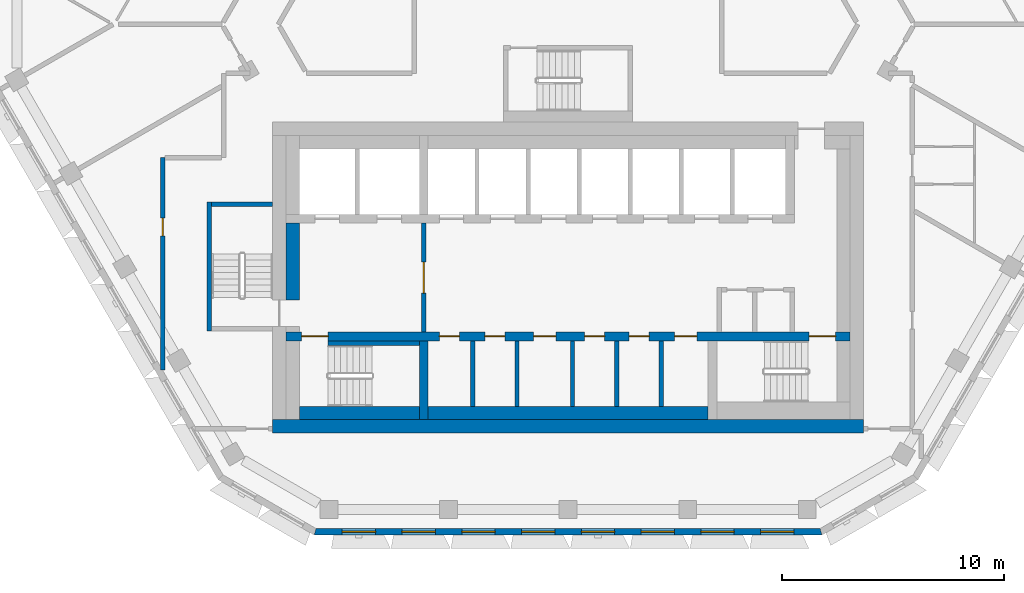
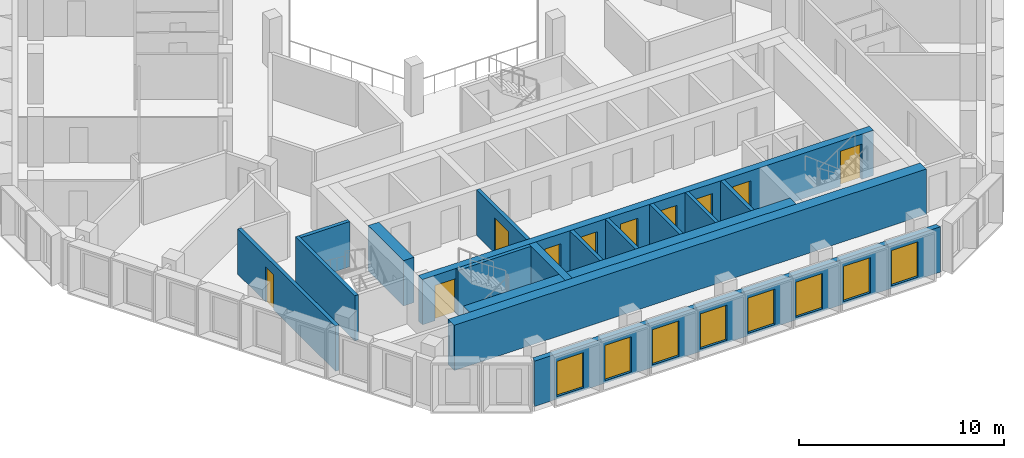
# One storey, part 3 of 17: 17 walls, 10 doors, 8 windows, 18 openings.
"""IFC4 building model written with IfcOpenShell, lengths in metres."""

from ifc_helpers import new_model, si_unit, direction, frame, frame_2d, origin, place, context, subcontext, project, spatial, polyline, rectangle, outline, extrude, material, layer, layer_set, type_object, element, fill, save


model = new_model("IFC4")

# Units and contexts
model_context = context("Model", 3, precision=1e-05, world=origin(), true_north=direction((0.0, 1.0)))
body_context = subcontext(model_context, "Body", "Model", "MODEL_VIEW")
ifc_project = project(units=[si_unit("LENGTHUNIT", "METRE"), si_unit("AREAUNIT", "SQUARE_METRE"), si_unit("VOLUMEUNIT", "CUBIC_METRE"), si_unit("PLANEANGLEUNIT", "RADIAN"), si_unit("MASSUNIT", "GRAM", prefix="KILO")], contexts=[model_context])

# Site, building, storey
site_placement = place(None, origin())
site = spatial("IfcSite", under=ifc_project, at=site_placement, CompositionType="ELEMENT")
building_placement = place(site_placement, origin())
building = spatial("IfcBuilding", under=site, at=building_placement, Name="Beryl Residences", CompositionType="ELEMENT")
storey_placement = place(building_placement, frame((0.0, 0.0, 172.199951171875)))
storey = spatial("IfcBuildingStorey", under=building, at=storey_placement, Name="L52", CompositionType="ELEMENT", Elevation=172.199951171875)

# Wall, openings, windows
ifc_material_1 = material(Name="Composite metal panel with mineral wool insulation")
ifc_layer_1 = layer(ifc_material_1, 0.300048828125)
ifc_layer_set_1 = layer_set([ifc_layer_1], Name="ES1 pale metal composite panel wall 300 mm")
wall_type_1 = type_object("IfcWallType", Name="ES1 pale metal composite panel wall 300 mm", PredefinedType="SOLIDWALL", material=ifc_layer_set_1)
wall_1_placement = place(storey_placement, frame((-11.430908203125, -23.449951171875, 0.0), z_axis=(0.0, 0.0, 1.0), x_axis=(1.0, 0.0, 0.0)))
wall_1 = element("IfcWall", 1, at=wall_1_placement, inside=storey, type_object=wall_type_1, Name="ES1 external wall L52 S", PredefinedType="SOLIDWALL", context=body_context, shape_type="SweptSolid", body=[
    extrude(outline(polyline([(0.0, -0.14990234375), (22.86181640625, -0.14990234375), (22.781494140625, 0.14990234375), (0.080322265625, 0.14990234375), (0.0, -0.14990234375)])), origin(), (0.0, 0.0, 1.0), 2.699951171875),
])
opening_1_placement = place(wall_1_placement, frame((1.260009765625, 0.0, 0.14990234375)))
opening_1 = element("IfcOpeningElement", 2, at=opening_1_placement, cuts=wall_1, Name="Opening W1", PredefinedType="OPENING", context=body_context, shape_type="SweptSolid", body=[
    extrude(rectangle(XDim=1.5, YDim=2.10009765625, at=frame_2d((0.75, 1.050048828125))), frame((0.0, 0.159912109375, 0.0), z_axis=(0.0, -1.0, 0.0), x_axis=(1.0, 0.0, 0.0)), (0.0, 0.0, 1.0), 0.320068359375),
])
opening_2_placement = place(wall_1_placement, frame((3.951904296875, 0.0, 0.14990234375)))
opening_2 = element("IfcOpeningElement", 3, at=opening_2_placement, cuts=wall_1, Name="Opening W1", PredefinedType="OPENING", context=body_context, shape_type="SweptSolid", body=[
    extrude(rectangle(XDim=1.5, YDim=2.10009765625, at=frame_2d((0.75, 1.050048828125))), frame((0.0, 0.159912109375, 0.0), z_axis=(0.0, -1.0, 0.0), x_axis=(1.0, 0.0, 0.0)), (0.0, 0.0, 1.0), 0.320068359375),
])
opening_3_placement = place(wall_1_placement, frame((6.64404296875, 0.0, 0.14990234375)))
opening_3 = element("IfcOpeningElement", 4, at=opening_3_placement, cuts=wall_1, Name="Opening W1", PredefinedType="OPENING", context=body_context, shape_type="SweptSolid", body=[
    extrude(rectangle(XDim=1.5, YDim=2.10009765625, at=frame_2d((0.75, 1.050048828125))), frame((0.0, 0.159912109375, 0.0), z_axis=(0.0, -1.0, 0.0), x_axis=(1.0, 0.0, 0.0)), (0.0, 0.0, 1.0), 0.320068359375),
])
opening_4_placement = place(wall_1_placement, frame((9.3359375, 0.0, 0.14990234375)))
opening_4 = element("IfcOpeningElement", 5, at=opening_4_placement, cuts=wall_1, Name="Opening W1", PredefinedType="OPENING", context=body_context, shape_type="SweptSolid", body=[
    extrude(rectangle(XDim=1.5, YDim=2.10009765625, at=frame_2d((0.75, 1.050048828125))), frame((0.0, 0.159912109375, 0.0), z_axis=(0.0, -1.0, 0.0), x_axis=(1.0, 0.0, 0.0)), (0.0, 0.0, 1.0), 0.320068359375),
])
opening_5_placement = place(wall_1_placement, frame((12.028076171875, 0.0, 0.14990234375)))
opening_5 = element("IfcOpeningElement", 6, at=opening_5_placement, cuts=wall_1, Name="Opening W1", PredefinedType="OPENING", context=body_context, shape_type="SweptSolid", body=[
    extrude(rectangle(XDim=1.5, YDim=2.10009765625, at=frame_2d((0.75, 1.050048828125))), frame((0.0, 0.159912109375, 0.0), z_axis=(0.0, -1.0, 0.0), x_axis=(1.0, 0.0, 0.0)), (0.0, 0.0, 1.0), 0.320068359375),
])
opening_6_placement = place(wall_1_placement, frame((14.719970703125, 0.0, 0.14990234375)))
opening_6 = element("IfcOpeningElement", 7, at=opening_6_placement, cuts=wall_1, Name="Opening W1", PredefinedType="OPENING", context=body_context, shape_type="SweptSolid", body=[
    extrude(rectangle(XDim=1.5, YDim=2.10009765625, at=frame_2d((0.75, 1.050048828125))), frame((0.0, 0.159912109375, 0.0), z_axis=(0.0, -1.0, 0.0), x_axis=(1.0, 0.0, 0.0)), (0.0, 0.0, 1.0), 0.320068359375),
])
opening_7_placement = place(wall_1_placement, frame((17.412109375, 0.0, 0.14990234375)))
opening_7 = element("IfcOpeningElement", 8, at=opening_7_placement, cuts=wall_1, Name="Opening W1", PredefinedType="OPENING", context=body_context, shape_type="SweptSolid", body=[
    extrude(rectangle(XDim=1.5, YDim=2.10009765625, at=frame_2d((0.75, 1.050048828125))), frame((0.0, 0.159912109375, 0.0), z_axis=(0.0, -1.0, 0.0), x_axis=(1.0, 0.0, 0.0)), (0.0, 0.0, 1.0), 0.320068359375),
])
opening_8_placement = place(wall_1_placement, frame((20.10400390625, 0.0, 0.14990234375)))
opening_8 = element("IfcOpeningElement", 9, at=opening_8_placement, cuts=wall_1, Name="Opening W1", PredefinedType="OPENING", context=body_context, shape_type="SweptSolid", body=[
    extrude(rectangle(XDim=1.5, YDim=2.10009765625, at=frame_2d((0.75, 1.050048828125))), frame((0.0, 0.159912109375, 0.0), z_axis=(0.0, -1.0, 0.0), x_axis=(1.0, 0.0, 0.0)), (0.0, 0.0, 1.0), 0.320068359375),
])
ifc_material_2 = material(Name="Aluminium and clear glass", Category="aluminium")
window_type = type_object("IfcWindowType", Name="W1 cell window 1500 x 2100 mm", PartitioningType="SINGLE_PANEL", PredefinedType="WINDOW", material=ifc_material_2)
window_1_placement = place(opening_1_placement, origin())
window_1 = element("IfcWindow", 10, at=window_1_placement, inside=storey, type_object=window_type, Name="W1 window L52 S 1", OverallHeight=2.10009765625, OverallWidth=1.5, PartitioningType="SINGLE_PANEL", PredefinedType="WINDOW", context=body_context, shape_type="SweptSolid", body=[
    extrude(rectangle(XDim=1.5, YDim=2.10009765625, at=frame_2d((0.75, 1.050048828125))), frame((0.0, 0.030029296875, 0.0), z_axis=(0.0, -1.0, 0.0), x_axis=(1.0, 0.0, 0.0)), (0.0, 0.0, 1.0), 0.06005859375),
])
fill(opening_1, window_1)
window_2_placement = place(opening_2_placement, origin())
window_2 = element("IfcWindow", 11, at=window_2_placement, inside=storey, type_object=window_type, Name="W1 window L52 S 2", OverallHeight=2.10009765625, OverallWidth=1.5, PartitioningType="SINGLE_PANEL", PredefinedType="WINDOW", context=body_context, shape_type="SweptSolid", body=[
    extrude(rectangle(XDim=1.5, YDim=2.10009765625, at=frame_2d((0.75, 1.050048828125))), frame((0.0, 0.030029296875, 0.0), z_axis=(0.0, -1.0, 0.0), x_axis=(1.0, 0.0, 0.0)), (0.0, 0.0, 1.0), 0.06005859375),
])
fill(opening_2, window_2)
window_3_placement = place(opening_3_placement, origin())
window_3 = element("IfcWindow", 12, at=window_3_placement, inside=storey, type_object=window_type, Name="W1 window L52 S 3", OverallHeight=2.10009765625, OverallWidth=1.5, PartitioningType="SINGLE_PANEL", PredefinedType="WINDOW", context=body_context, shape_type="SweptSolid", body=[
    extrude(rectangle(XDim=1.5, YDim=2.10009765625, at=frame_2d((0.75, 1.050048828125))), frame((0.0, 0.030029296875, 0.0), z_axis=(0.0, -1.0, 0.0), x_axis=(1.0, 0.0, 0.0)), (0.0, 0.0, 1.0), 0.06005859375),
])
fill(opening_3, window_3)
window_4_placement = place(opening_4_placement, origin())
window_4 = element("IfcWindow", 13, at=window_4_placement, inside=storey, type_object=window_type, Name="W1 window L52 S 4", OverallHeight=2.10009765625, OverallWidth=1.5, PartitioningType="SINGLE_PANEL", PredefinedType="WINDOW", context=body_context, shape_type="SweptSolid", body=[
    extrude(rectangle(XDim=1.5, YDim=2.10009765625, at=frame_2d((0.75, 1.050048828125))), frame((0.0, 0.030029296875, 0.0), z_axis=(0.0, -1.0, 0.0), x_axis=(1.0, 0.0, 0.0)), (0.0, 0.0, 1.0), 0.06005859375),
])
fill(opening_4, window_4)
window_5_placement = place(opening_5_placement, origin())
window_5 = element("IfcWindow", 14, at=window_5_placement, inside=storey, type_object=window_type, Name="W1 window L52 S 5", OverallHeight=2.10009765625, OverallWidth=1.5, PartitioningType="SINGLE_PANEL", PredefinedType="WINDOW", context=body_context, shape_type="SweptSolid", body=[
    extrude(rectangle(XDim=1.5, YDim=2.10009765625, at=frame_2d((0.75, 1.050048828125))), frame((0.0, 0.030029296875, 0.0), z_axis=(0.0, -1.0, 0.0), x_axis=(1.0, 0.0, 0.0)), (0.0, 0.0, 1.0), 0.06005859375),
])
fill(opening_5, window_5)
window_6_placement = place(opening_6_placement, origin())
window_6 = element("IfcWindow", 15, at=window_6_placement, inside=storey, type_object=window_type, Name="W1 window L52 S 6", OverallHeight=2.10009765625, OverallWidth=1.5, PartitioningType="SINGLE_PANEL", PredefinedType="WINDOW", context=body_context, shape_type="SweptSolid", body=[
    extrude(rectangle(XDim=1.5, YDim=2.10009765625, at=frame_2d((0.75, 1.050048828125))), frame((0.0, 0.030029296875, 0.0), z_axis=(0.0, -1.0, 0.0), x_axis=(1.0, 0.0, 0.0)), (0.0, 0.0, 1.0), 0.06005859375),
])
fill(opening_6, window_6)
window_7_placement = place(opening_7_placement, origin())
window_7 = element("IfcWindow", 16, at=window_7_placement, inside=storey, type_object=window_type, Name="W1 window L52 S 7", OverallHeight=2.10009765625, OverallWidth=1.5, PartitioningType="SINGLE_PANEL", PredefinedType="WINDOW", context=body_context, shape_type="SweptSolid", body=[
    extrude(rectangle(XDim=1.5, YDim=2.10009765625, at=frame_2d((0.75, 1.050048828125))), frame((0.0, 0.030029296875, 0.0), z_axis=(0.0, -1.0, 0.0), x_axis=(1.0, 0.0, 0.0)), (0.0, 0.0, 1.0), 0.06005859375),
])
fill(opening_7, window_7)
window_8_placement = place(opening_8_placement, origin())
window_8 = element("IfcWindow", 17, at=window_8_placement, inside=storey, type_object=window_type, Name="W1 window L52 S 8", OverallHeight=2.10009765625, OverallWidth=1.5, PartitioningType="SINGLE_PANEL", PredefinedType="WINDOW", context=body_context, shape_type="SweptSolid", body=[
    extrude(rectangle(XDim=1.5, YDim=2.10009765625, at=frame_2d((0.75, 1.050048828125))), frame((0.0, 0.030029296875, 0.0), z_axis=(0.0, -1.0, 0.0), x_axis=(1.0, 0.0, 0.0)), (0.0, 0.0, 1.0), 0.06005859375),
])
fill(opening_8, window_8)

# Wall, opening, door
ifc_material_3 = material(Name="Concrete masonry", Category="masonry")
ifc_layer_2 = layer(ifc_material_3, 0.199951171875)
ifc_layer_set_2 = layer_set([ifc_layer_2], Name="PT13 lobby wall 200 mm")
wall_type_2 = type_object("IfcWallType", Name="PT13 lobby wall 200 mm", PredefinedType="PARTITIONING", material=ifc_layer_set_2)
wall_2_placement = place(storey_placement, frame((-6.5, -14.449951171875, 0.0), z_axis=(0.0, 0.0, 1.0), x_axis=(0.0, 1.0, 0.0)))
wall_2 = element("IfcWall", 18, at=wall_2_placement, inside=storey, type_object=wall_type_2, Name="Lobby wall 12", PredefinedType="PARTITIONING", context=body_context, shape_type="SweptSolid", body=[
    extrude(rectangle(XDim=4.89990234375, YDim=0.199951171875, at=frame_2d((2.449951171875, 0.0))), origin(), (0.0, 0.0, 1.0), 2.699951171875),
])
opening_9_placement = place(wall_2_placement, frame((3.14990234375, 0.0, 0.0), z_axis=(0.0, 0.0, 1.0), x_axis=(-1.0, 0.0, 0.0)))
opening_9 = element("IfcOpeningElement", 19, at=opening_9_placement, cuts=wall_2, Name="Opening FD-FFL", PredefinedType="OPENING", context=body_context, shape_type="SweptSolid", body=[
    extrude(rectangle(XDim=1.39990234375, YDim=2.10009765625, at=frame_2d((0.699951171875, 1.050048828125))), frame((0.0, 0.10986328125, 0.0), z_axis=(0.0, -1.0, 0.0), x_axis=(1.0, 0.0, 0.0)), (0.0, 0.0, 1.0), 0.219970703125),
])
ifc_material_4 = material(Name="Steel door leaf in steel frame", Category="steel")
door_type_1 = type_object("IfcDoorType", Name="D5 lobby door 1400 x 2100 mm", OperationType="DOUBLE_DOOR_SINGLE_SWING", PredefinedType="DOOR", material=ifc_material_4)
door_1_placement = place(opening_9_placement, origin())
door_1 = element("IfcDoor", 20, at=door_1_placement, inside=storey, type_object=door_type_1, Name="Door FD-FFL L52 001", OperationType="DOUBLE_DOOR_SINGLE_SWING", OverallHeight=2.10009765625, OverallWidth=1.39990234375, PredefinedType="DOOR", context=body_context, shape_type="SweptSolid", body=[
    extrude(rectangle(XDim=1.39990234375, YDim=2.10009765625, at=frame_2d((0.699951171875, 1.050048828125))), frame((0.0, 0.02490234375, 0.0), z_axis=(0.0, -1.0, 0.0), x_axis=(1.0, 0.0, 0.0)), (0.0, 0.0, 1.0), 0.050048828125),
])
fill(opening_9, door_1)

# Wall
ifc_material_5 = material(Name="Concrete masonry", Category="masonry")
ifc_layer_3 = layer(ifc_material_5, 0.60009765625)
ifc_layer_set_3 = layer_set([ifc_layer_3], Name="PT13-600 lobby wall 600 mm")
wall_type_3 = type_object("IfcWallType", Name="PT13-600 lobby wall 600 mm", PredefinedType="PARTITIONING", material=ifc_layer_set_3)
wall_3_placement = place(storey_placement, frame((-12.39990234375, -13.0, 0.0), z_axis=(0.0, 0.0, 1.0), x_axis=(0.0, 1.0, 0.0)))
element("IfcWall", 21, at=wall_3_placement, inside=storey, type_object=wall_type_3, Name="Lobby wall 06", PredefinedType="PARTITIONING", context=body_context, shape_type="SweptSolid", body=[
    extrude(rectangle(XDim=3.449951171875, YDim=0.60009765625, at=frame_2d((1.72509765625, 0.0))), origin(), (0.0, 0.0, 1.0), 2.699951171875),
])

# Wall, opening, door
ifc_material_6 = material(Name="Double stud gypsum board wall")
ifc_layer_4 = layer(ifc_material_6, 0.199951171875)
ifc_layer_set_4 = layer_set([ifc_layer_4], Name="PT4 corridor wall 200 mm double stud")
wall_type_4 = type_object("IfcWallType", Name="PT4 corridor wall 200 mm double stud", PredefinedType="PARTITIONING", material=ifc_layer_set_4)
wall_4_placement = place(storey_placement, frame((-18.25, -16.152099609375, 0.0), z_axis=(0.0, 0.0, 1.0), x_axis=(0.0, 1.0, 0.0)))
wall_4 = element("IfcWall", 22, at=wall_4_placement, inside=storey, type_object=wall_type_4, Name="Wall PT4 L52 026", PredefinedType="PARTITIONING", context=body_context, shape_type="SweptSolid", body=[
    extrude(rectangle(XDim=9.551025390625, YDim=0.199951171875, at=frame_2d((4.775390625, 0.0))), origin(), (0.0, 0.0, 1.0), 2.699951171875),
])
opening_10_placement = place(wall_4_placement, frame((6.02587890625, 0.0, 0.0)))
opening_10 = element("IfcOpeningElement", 23, at=opening_10_placement, cuts=wall_4, Name="Opening D1419", PredefinedType="OPENING", context=body_context, shape_type="SweptSolid", body=[
    extrude(rectangle(XDim=0.800048828125, YDim=2.10009765625, at=frame_2d((0.39990234375, 1.050048828125))), frame((0.0, 0.10986328125, 0.0), z_axis=(0.0, -1.0, 0.0), x_axis=(1.0, 0.0, 0.0)), (0.0, 0.0, 1.0), 0.219970703125),
])
ifc_material_7 = material(Name="Timber door leaf", Category="wood")
door_type_2 = type_object("IfcDoorType", Name="D3 bathroom door 800 x 2100 mm", OperationType="SINGLE_SWING_LEFT", PredefinedType="DOOR", material=ifc_material_7)
door_2_placement = place(opening_10_placement, origin())
door_2 = element("IfcDoor", 24, at=door_2_placement, inside=storey, type_object=door_type_2, Name="Door D1419 L52 001", OperationType="SINGLE_SWING_LEFT", OverallHeight=2.10009765625, OverallWidth=0.800048828125, PredefinedType="DOOR", context=body_context, shape_type="SweptSolid", body=[
    extrude(rectangle(XDim=0.800048828125, YDim=2.10009765625, at=frame_2d((0.39990234375, 1.050048828125))), frame((0.0, 0.02490234375, 0.0), z_axis=(0.0, -1.0, 0.0), x_axis=(1.0, 0.0, 0.0)), (0.0, 0.0, 1.0), 0.050048828125),
])
fill(opening_10, door_2)

# Walls
ifc_material_8 = material(Name="Concrete C40/50", Category="concrete")
ifc_layer_5 = layer(ifc_material_8, 0.199951171875)
ifc_layer_set_5 = layer_set([ifc_layer_5], Name="PT5 stair enclosure wall 200 mm reinforced concrete C40/50")
wall_type_5 = type_object("IfcWallType", Name="PT5 stair enclosure wall 200 mm reinforced concrete C40/50", PredefinedType="SOLIDWALL", material=ifc_layer_set_5)
wall_5_placement = place(storey_placement, frame((-16.14990234375, -14.39990234375, 0.0), z_axis=(0.0, 0.0, 1.0), x_axis=(0.0, 1.0, 0.0)))
element("IfcWall", 25, at=wall_5_placement, inside=storey, type_object=wall_type_5, Name="Stair wall 01", PredefinedType="SOLIDWALL", context=body_context, shape_type="SweptSolid", body=[
    extrude(rectangle(XDim=5.7998046875, YDim=0.199951171875, at=frame_2d((2.89990234375, 0.0))), origin(), (0.0, 0.0, 1.0), 2.699951171875),
])
wall_6_placement = place(storey_placement, frame((-16.050048828125, -8.699951171875, 0.0), z_axis=(0.0, 0.0, 1.0), x_axis=(1.0, 0.0, 0.0)))
element("IfcWall", 26, at=wall_6_placement, inside=storey, type_object=wall_type_5, Name="Stair wall 03", PredefinedType="SOLIDWALL", context=body_context, shape_type="SweptSolid", body=[
    extrude(rectangle(XDim=2.75, YDim=0.199951171875, at=frame_2d((1.375, 0.0))), origin(), (0.0, 0.0, 1.0), 2.699951171875),
])
wall_7_placement = place(storey_placement, frame((-10.800048828125, -14.949951171875, 0.0), z_axis=(0.0, 0.0, 1.0), x_axis=(1.0, 0.0, 0.0)))
element("IfcWall", 27, at=wall_7_placement, inside=storey, type_object=wall_type_5, Name="Stair wall 10", PredefinedType="SOLIDWALL", context=body_context, shape_type="SweptSolid", body=[
    extrude(rectangle(XDim=4.10009765625, YDim=0.199951171875, at=frame_2d((2.050048828125, 0.0))), origin(), (0.0, 0.0, 1.0), 2.699951171875),
])
ifc_material_9 = material(Name="Concrete C40/50", Category="concrete")
ifc_layer_6 = layer(ifc_material_9, 0.60009765625)
ifc_layer_set_6 = layer_set([ifc_layer_6], Name="PT5-600 stair enclosure wall 600 mm")
wall_type_6 = type_object("IfcWallType", Name="PT5-600 stair enclosure wall 600 mm", PredefinedType="SOLIDWALL", material=ifc_layer_set_6)
wall_8_placement = place(storey_placement, frame((-12.10009765625, -18.10009765625, 0.0), z_axis=(0.0, 0.0, 1.0), x_axis=(1.0, 0.0, 0.0)))
element("IfcWall", 28, at=wall_8_placement, inside=storey, type_object=wall_type_6, Name="Stair wall 08", PredefinedType="SOLIDWALL", context=body_context, shape_type="SweptSolid", body=[
    extrude(rectangle(XDim=5.400146484375, YDim=0.60009765625, at=frame_2d((2.7001953125, 0.0))), origin(), (0.0, 0.0, 1.0), 2.699951171875),
])
ifc_material_10 = material(Name="Concrete masonry", Category="masonry")
ifc_layer_7 = layer(ifc_material_10, 0.199951171875)
ifc_layer_set_7 = layer_set([ifc_layer_7], Name="PT8-200 service room wall 200 mm")
wall_type_7 = type_object("IfcWallType", Name="PT8-200 service room wall 200 mm", PredefinedType="PARTITIONING", material=ifc_layer_set_7)
for number, where, z_axis, x_axis, name in (
    (29, (-4.300048828125, -17.800048828125, 0.0), (0.0, 0.0, 1.0), (0.0, 1.0, 0.0), "Core room wall 15"),
    (30, (-2.300048828125, -17.800048828125, 0.0), (0.0, 0.0, 1.0), (0.0, 1.0, 0.0), "Core room wall 17"),
    (31, (0.199951171875, -17.800048828125, 0.0), (0.0, 0.0, 1.0), (0.0, 1.0, 0.0), "Core room wall 19"),
    (32, (2.199951171875, -17.800048828125, 0.0), (0.0, 0.0, 1.0), (0.0, 1.0, 0.0), "Core room wall 21"),
    (33, (4.199951171875, -17.800048828125, 0.0), (0.0, 0.0, 1.0), (0.0, 1.0, 0.0), "Core room wall 23"),
):
    element("IfcWall", number, at=place(storey_placement, frame(where, z_axis=z_axis, x_axis=x_axis)), inside=storey, type_object=wall_type_7, Name=name, PredefinedType="PARTITIONING", context=body_context, shape_type="SweptSolid", body=[
        extrude(rectangle(XDim=2.949951171875, YDim=0.199951171875, at=frame_2d((1.47509765625, 0.0))), origin(), (0.0, 0.0, 1.0), 2.699951171875),
    ])
ifc_material_11 = material(Name="Concrete masonry", Category="masonry")
ifc_layer_8 = layer(ifc_material_11, 0.60009765625)
ifc_layer_set_8 = layer_set([ifc_layer_8], Name="PT8-600 service room wall 600 mm")
wall_type_8 = type_object("IfcWallType", Name="PT8-600 service room wall 600 mm", PredefinedType="PARTITIONING", material=ifc_layer_set_8)
wall_9_placement = place(storey_placement, frame((-6.300048828125, -18.10009765625, 0.0), z_axis=(0.0, 0.0, 1.0), x_axis=(1.0, 0.0, 0.0)))
element("IfcWall", 34, at=wall_9_placement, inside=storey, type_object=wall_type_8, Name="Core room wall 13", PredefinedType="PARTITIONING", context=body_context, shape_type="SweptSolid", body=[
    extrude(rectangle(XDim=12.60009765625, YDim=0.60009765625, at=frame_2d((6.300048828125, 0.0))), origin(), (0.0, 0.0, 1.0), 2.699951171875),
])
ifc_material_12 = material(Name="Concrete C50/60", Category="concrete")
ifc_layer_9 = layer(ifc_material_12, 0.60009765625)
ifc_layer_set_9 = layer_set([ifc_layer_9], Name="SW4 core outer wall 600 mm C50/60")
wall_type_9 = type_object("IfcWallType", Name="SW4 core outer wall 600 mm C50/60", PredefinedType="SHEAR", material=ifc_layer_set_9)
wall_10_placement = place(storey_placement, frame((-13.300048828125, -18.699951171875, 0.0), z_axis=(0.0, 0.0, 1.0), x_axis=(1.0, 0.0, 0.0)))
element("IfcWall", 35, at=wall_10_placement, inside=storey, type_object=wall_type_9, Name="Core wall S L52", PredefinedType="SHEAR", context=body_context, shape_type="SweptSolid", body=[
    extrude(rectangle(XDim=26.60009765625, YDim=0.60009765625, at=frame_2d((13.300048828125, 0.0))), origin(), (0.0, 0.0, 1.0), 2.699951171875),
])

# Wall, openings, doors
ifc_material_13 = material(Name="Concrete C50/60", Category="concrete")
ifc_layer_10 = layer(ifc_material_13, 0.39990234375)
ifc_layer_set_10 = layer_set([ifc_layer_10], Name="SW9 core internal wall 400 mm C50/60")
wall_type_10 = type_object("IfcWallType", Name="SW9 core internal wall 400 mm C50/60", PredefinedType="SHEAR", material=ifc_layer_set_10)
wall_11_placement = place(storey_placement, frame((-12.699951171875, -14.64990234375, 0.0), z_axis=(0.0, 0.0, 1.0), x_axis=(1.0, 0.0, 0.0)))
wall_11 = element("IfcWall", 36, at=wall_11_placement, inside=storey, type_object=wall_type_10, Name="Core wall SP1 L52", PredefinedType="SHEAR", context=body_context, shape_type="SweptSolid", body=[
    extrude(rectangle(XDim=25.39990234375, YDim=0.39990234375, at=frame_2d((12.699951171875, 0.0))), origin(), (0.0, 0.0, 1.0), 2.699951171875),
])
opening_11_placement = place(wall_11_placement, frame((1.89990234375, 0.0, 0.0), z_axis=(0.0, 0.0, 1.0), x_axis=(-1.0, 0.0, 0.0)))
opening_11 = element("IfcOpeningElement", 37, at=opening_11_placement, cuts=wall_11, Name="Opening SD-1", PredefinedType="OPENING", context=body_context, shape_type="SweptSolid", body=[
    extrude(rectangle(XDim=1.199951171875, YDim=2.10009765625, at=frame_2d((0.60009765625, 1.050048828125))), frame((0.0, 0.2099609375, 0.0), z_axis=(0.0, -1.0, 0.0), x_axis=(1.0, 0.0, 0.0)), (0.0, 0.0, 1.0), 0.419921875),
])
opening_12_placement = place(wall_11_placement, frame((24.75, 0.0, 0.0), z_axis=(0.0, 0.0, 1.0), x_axis=(-1.0, 0.0, 0.0)))
opening_12 = element("IfcOpeningElement", 38, at=opening_12_placement, cuts=wall_11, Name="Opening SD-3", PredefinedType="OPENING", context=body_context, shape_type="SweptSolid", body=[
    extrude(rectangle(XDim=1.199951171875, YDim=2.10009765625, at=frame_2d((0.60009765625, 1.050048828125))), frame((0.0, 0.2099609375, 0.0), z_axis=(0.0, -1.0, 0.0), x_axis=(1.0, 0.0, 0.0)), (0.0, 0.0, 1.0), 0.419921875),
])
opening_13_placement = place(wall_11_placement, frame((7.7998046875, 0.0, 0.0), z_axis=(0.0, 0.0, 1.0), x_axis=(-1.0, 0.0, 0.0)))
opening_13 = element("IfcOpeningElement", 39, at=opening_13_placement, cuts=wall_11, Name="Opening CD-D-S1-900", PredefinedType="OPENING", context=body_context, shape_type="SweptSolid", body=[
    extrude(rectangle(XDim=0.89990234375, YDim=2.10009765625, at=frame_2d((0.449951171875, 1.050048828125))), frame((0.0, 0.2099609375, 0.0), z_axis=(0.0, -1.0, 0.0), x_axis=(1.0, 0.0, 0.0)), (0.0, 0.0, 1.0), 0.419921875),
])
opening_14_placement = place(wall_11_placement, frame((9.849853515625, 0.0, 0.0), z_axis=(0.0, 0.0, 1.0), x_axis=(-1.0, 0.0, 0.0)))
opening_14 = element("IfcOpeningElement", 40, at=opening_14_placement, cuts=wall_11, Name="Opening CD-D-S2-900", PredefinedType="OPENING", context=body_context, shape_type="SweptSolid", body=[
    extrude(rectangle(XDim=0.89990234375, YDim=2.10009765625, at=frame_2d((0.449951171875, 1.050048828125))), frame((0.0, 0.2099609375, 0.0), z_axis=(0.0, -1.0, 0.0), x_axis=(1.0, 0.0, 0.0)), (0.0, 0.0, 1.0), 0.419921875),
])
opening_15_placement = place(wall_11_placement, frame((12.14990234375, 0.0, 0.0), z_axis=(0.0, 0.0, 1.0), x_axis=(-1.0, 0.0, 0.0)))
opening_15 = element("IfcOpeningElement", 41, at=opening_15_placement, cuts=wall_11, Name="Opening CD-D-S3", PredefinedType="OPENING", context=body_context, shape_type="SweptSolid", body=[
    extrude(rectangle(XDim=1.0, YDim=2.10009765625, at=frame_2d((0.5, 1.050048828125))), frame((0.0, 0.2099609375, 0.0), z_axis=(0.0, -1.0, 0.0), x_axis=(1.0, 0.0, 0.0)), (0.0, 0.0, 1.0), 0.419921875),
])
opening_16_placement = place(wall_11_placement, frame((14.349853515625, 0.0, 0.0), z_axis=(0.0, 0.0, 1.0), x_axis=(-1.0, 0.0, 0.0)))
opening_16 = element("IfcOpeningElement", 42, at=opening_16_placement, cuts=wall_11, Name="Opening CD-D-S4-900", PredefinedType="OPENING", context=body_context, shape_type="SweptSolid", body=[
    extrude(rectangle(XDim=0.89990234375, YDim=2.10009765625, at=frame_2d((0.449951171875, 1.050048828125))), frame((0.0, 0.2099609375, 0.0), z_axis=(0.0, -1.0, 0.0), x_axis=(1.0, 0.0, 0.0)), (0.0, 0.0, 1.0), 0.419921875),
])
opening_17_placement = place(wall_11_placement, frame((16.349853515625, 0.0, 0.0), z_axis=(0.0, 0.0, 1.0), x_axis=(-1.0, 0.0, 0.0)))
opening_17 = element("IfcOpeningElement", 43, at=opening_17_placement, cuts=wall_11, Name="Opening CD-D-S5-900", PredefinedType="OPENING", context=body_context, shape_type="SweptSolid", body=[
    extrude(rectangle(XDim=0.89990234375, YDim=2.10009765625, at=frame_2d((0.449951171875, 1.050048828125))), frame((0.0, 0.2099609375, 0.0), z_axis=(0.0, -1.0, 0.0), x_axis=(1.0, 0.0, 0.0)), (0.0, 0.0, 1.0), 0.419921875),
])
opening_18_placement = place(wall_11_placement, frame((18.5, 0.0, 0.0), z_axis=(0.0, 0.0, 1.0), x_axis=(-1.0, 0.0, 0.0)))
opening_18 = element("IfcOpeningElement", 44, at=opening_18_placement, cuts=wall_11, Name="Opening CD-D-S6", PredefinedType="OPENING", context=body_context, shape_type="SweptSolid", body=[
    extrude(rectangle(XDim=1.0, YDim=2.10009765625, at=frame_2d((0.5, 1.050048828125))), frame((0.0, 0.2099609375, 0.0), z_axis=(0.0, -1.0, 0.0), x_axis=(1.0, 0.0, 0.0)), (0.0, 0.0, 1.0), 0.419921875),
])
ifc_material_14 = material(Name="Steel door leaf in steel frame", Category="steel")
door_type_3 = type_object("IfcDoorType", Name="D18 service room door 1000 x 2100 mm", OperationType="SINGLE_SWING_LEFT", PredefinedType="DOOR", material=ifc_material_14)
door_3_placement = place(opening_15_placement, origin())
door_3 = element("IfcDoor", 45, at=door_3_placement, inside=storey, type_object=door_type_3, Name="Door CD-D-S3 L52 001", OperationType="SINGLE_SWING_RIGHT", OverallHeight=2.10009765625, OverallWidth=1.0, PredefinedType="DOOR", context=body_context, shape_type="SweptSolid", body=[
    extrude(rectangle(XDim=1.0, YDim=2.10009765625, at=frame_2d((0.5, 1.050048828125))), frame((0.0, 0.02490234375, 0.0), z_axis=(0.0, -1.0, 0.0), x_axis=(1.0, 0.0, 0.0)), (0.0, 0.0, 1.0), 0.050048828125),
])
fill(opening_15, door_3)
door_4_placement = place(opening_18_placement, origin())
door_4 = element("IfcDoor", 46, at=door_4_placement, inside=storey, type_object=door_type_3, Name="Door CD-D-S6 L52 001", OperationType="SINGLE_SWING_LEFT", OverallHeight=2.10009765625, OverallWidth=1.0, PredefinedType="DOOR", context=body_context, shape_type="SweptSolid", body=[
    extrude(rectangle(XDim=1.0, YDim=2.10009765625, at=frame_2d((0.5, 1.050048828125))), frame((0.0, 0.02490234375, 0.0), z_axis=(0.0, -1.0, 0.0), x_axis=(1.0, 0.0, 0.0)), (0.0, 0.0, 1.0), 0.050048828125),
])
fill(opening_18, door_4)
ifc_material_15 = material(Name="Steel door leaf in steel frame", Category="steel")
door_type_4 = type_object("IfcDoorType", Name="D4 stair door 1200 x 2100 mm", OperationType="SINGLE_SWING_LEFT", PredefinedType="DOOR", material=ifc_material_15)
door_5_placement = place(opening_11_placement, origin())
door_5 = element("IfcDoor", 47, at=door_5_placement, inside=storey, type_object=door_type_4, Name="Door SD-1 L52 001", OperationType="SINGLE_SWING_RIGHT", OverallHeight=2.10009765625, OverallWidth=1.199951171875, PredefinedType="DOOR", context=body_context, shape_type="SweptSolid", body=[
    extrude(rectangle(XDim=1.199951171875, YDim=2.10009765625, at=frame_2d((0.60009765625, 1.050048828125))), frame((0.0, 0.02490234375, 0.0), z_axis=(0.0, -1.0, 0.0), x_axis=(1.0, 0.0, 0.0)), (0.0, 0.0, 1.0), 0.050048828125),
])
fill(opening_11, door_5)
door_6_placement = place(opening_12_placement, origin())
door_6 = element("IfcDoor", 48, at=door_6_placement, inside=storey, type_object=door_type_4, Name="Door SD-3 L52 001", OperationType="SINGLE_SWING_RIGHT", OverallHeight=2.10009765625, OverallWidth=1.199951171875, PredefinedType="DOOR", context=body_context, shape_type="SweptSolid", body=[
    extrude(rectangle(XDim=1.199951171875, YDim=2.10009765625, at=frame_2d((0.60009765625, 1.050048828125))), frame((0.0, 0.02490234375, 0.0), z_axis=(0.0, -1.0, 0.0), x_axis=(1.0, 0.0, 0.0)), (0.0, 0.0, 1.0), 0.050048828125),
])
fill(opening_12, door_6)
ifc_material_16 = material(Name="Steel door leaf in steel frame", Category="steel")
door_type_5 = type_object("IfcDoorType", Name="D6 service room door 900 x 2100 mm", OperationType="SINGLE_SWING_LEFT", PredefinedType="DOOR", material=ifc_material_16)
door_7_placement = place(opening_13_placement, origin())
door_7 = element("IfcDoor", 49, at=door_7_placement, inside=storey, type_object=door_type_5, Name="Door CD-D-S1-900 L52 001", OperationType="SINGLE_SWING_RIGHT", OverallHeight=2.10009765625, OverallWidth=0.89990234375, PredefinedType="DOOR", context=body_context, shape_type="SweptSolid", body=[
    extrude(rectangle(XDim=0.89990234375, YDim=2.10009765625, at=frame_2d((0.449951171875, 1.050048828125))), frame((0.0, 0.02490234375, 0.0), z_axis=(0.0, -1.0, 0.0), x_axis=(1.0, 0.0, 0.0)), (0.0, 0.0, 1.0), 0.050048828125),
])
fill(opening_13, door_7)
door_8_placement = place(opening_14_placement, origin())
door_8 = element("IfcDoor", 50, at=door_8_placement, inside=storey, type_object=door_type_5, Name="Door CD-D-S2-900 L52 001", OperationType="SINGLE_SWING_LEFT", OverallHeight=2.10009765625, OverallWidth=0.89990234375, PredefinedType="DOOR", context=body_context, shape_type="SweptSolid", body=[
    extrude(rectangle(XDim=0.89990234375, YDim=2.10009765625, at=frame_2d((0.449951171875, 1.050048828125))), frame((0.0, 0.02490234375, 0.0), z_axis=(0.0, -1.0, 0.0), x_axis=(1.0, 0.0, 0.0)), (0.0, 0.0, 1.0), 0.050048828125),
])
fill(opening_14, door_8)
door_9_placement = place(opening_16_placement, origin())
door_9 = element("IfcDoor", 51, at=door_9_placement, inside=storey, type_object=door_type_5, Name="Door CD-D-S4-900 L52 001", OperationType="SINGLE_SWING_LEFT", OverallHeight=2.10009765625, OverallWidth=0.89990234375, PredefinedType="DOOR", context=body_context, shape_type="SweptSolid", body=[
    extrude(rectangle(XDim=0.89990234375, YDim=2.10009765625, at=frame_2d((0.449951171875, 1.050048828125))), frame((0.0, 0.02490234375, 0.0), z_axis=(0.0, -1.0, 0.0), x_axis=(1.0, 0.0, 0.0)), (0.0, 0.0, 1.0), 0.050048828125),
])
fill(opening_16, door_9)
door_10_placement = place(opening_17_placement, origin())
door_10 = element("IfcDoor", 52, at=door_10_placement, inside=storey, type_object=door_type_5, Name="Door CD-D-S5-900 L52 001", OperationType="SINGLE_SWING_RIGHT", OverallHeight=2.10009765625, OverallWidth=0.89990234375, PredefinedType="DOOR", context=body_context, shape_type="SweptSolid", body=[
    extrude(rectangle(XDim=0.89990234375, YDim=2.10009765625, at=frame_2d((0.449951171875, 1.050048828125))), frame((0.0, 0.02490234375, 0.0), z_axis=(0.0, -1.0, 0.0), x_axis=(1.0, 0.0, 0.0)), (0.0, 0.0, 1.0), 0.050048828125),
])
fill(opening_17, door_10)

# Wall
wall_12_placement = place(storey_placement, frame((-6.5, -18.39990234375, 0.0), z_axis=(0.0, 0.0, 1.0), x_axis=(0.0, 1.0, 0.0)))
element("IfcWall", 53, at=wall_12_placement, inside=storey, type_object=wall_type_10, Name="Core wall XS1 L52", PredefinedType="SHEAR", context=body_context, shape_type="SweptSolid", body=[
    extrude(rectangle(XDim=3.5498046875, YDim=0.39990234375, at=frame_2d((1.77490234375, 0.0))), origin(), (0.0, 0.0, 1.0), 2.699951171875),
])

save(model, "model.ifc")
